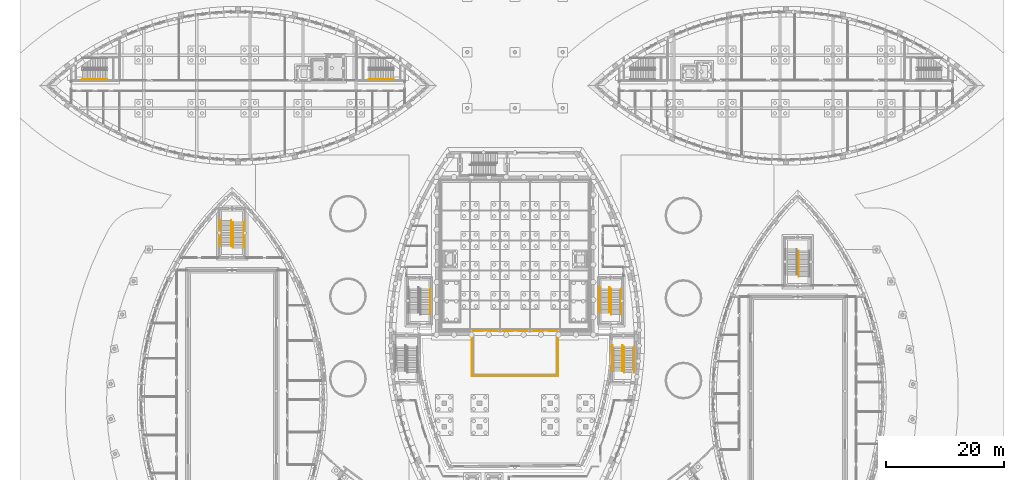
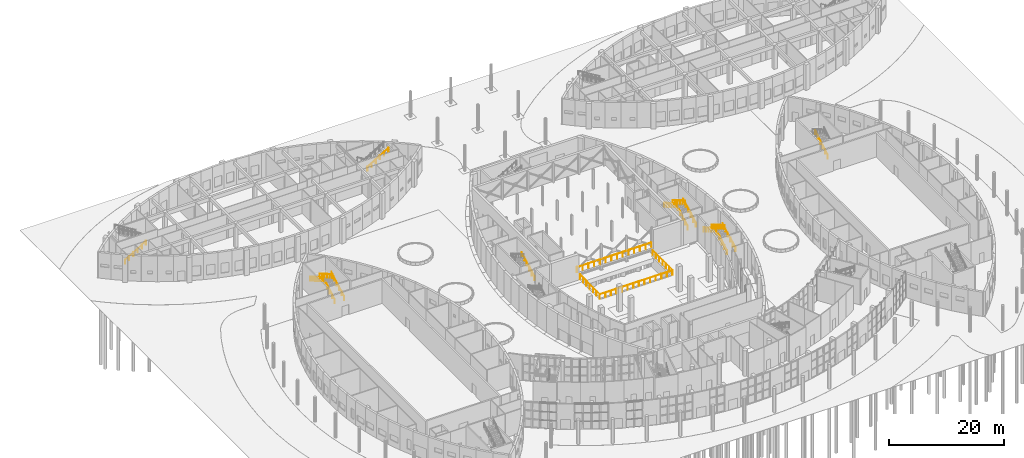
# One storey, part 75 of 82: 18 railings.
"""IFC4 building model written with IfcOpenShell, lengths in metres."""

from ifc_helpers import new_model, si_unit, direction, frame, origin, origin_2d, place, context, subcontext, project, spatial, circle, extrude, material, type_object, element, save


model = new_model("IFC4")

# Units and contexts
model_context = context("Model", 3, precision=1e-05, world=origin(), true_north=direction((0.0, 1.0)))
body_context = subcontext(model_context, "Body", "Model", "MODEL_VIEW")
ifc_project = project(units=[si_unit("LENGTHUNIT", "METRE"), si_unit("AREAUNIT", "SQUARE_METRE"), si_unit("VOLUMEUNIT", "CUBIC_METRE"), si_unit("PLANEANGLEUNIT", "RADIAN"), si_unit("MASSUNIT", "GRAM", prefix="KILO")], contexts=[model_context])

# Site, building, storey
site_placement = place(None, origin())
site = spatial("IfcSite", under=ifc_project, at=site_placement, CompositionType="ELEMENT")
building_placement = place(site_placement, origin())
building = spatial("IfcBuilding", under=site, at=building_placement, Name="Tide Square Theatres", CompositionType="ELEMENT")
storey_placement = place(building_placement, origin())
storey = spatial("IfcBuildingStorey", under=building, at=storey_placement, Name="L00", CompositionType="ELEMENT", Elevation=0.0)

# Railings
ifc_material_1 = material(Name="Painted steel", Category="steel")
railing_type_1 = type_object("IfcRailingType", Name="Steel guard 1100", PredefinedType="GUARDRAIL", material=ifc_material_1)
railing_1_placement = place(storey_placement, frame((76.699951171875, 55.39990234375, 0.0)))
element("IfcRailing", 1, at=railing_1_placement, inside=storey, type_object=railing_type_1, Name="Orchestra pit guard", PredefinedType="GUARDRAIL", context=body_context, shape_type="SweptSolid", body=[
    extrude(circle(Radius=0.02490234375, at=origin_2d()), frame((0.0, 0.0, 1.0751953125), z_axis=(0.0, -1.0, 0.0), x_axis=(1.0, 0.0, 0.0)), (0.0, 0.0, 1.0), 6.89990234375),
    extrude(circle(Radius=0.02490234375, at=origin_2d()), frame((0.0, -6.89990234375, 1.0751953125), z_axis=(1.0, 0.0, 0.0), x_axis=(0.0, 1.0, 0.0)), (0.0, 0.0, 1.0), 14.60009765625),
    extrude(circle(Radius=0.02490234375, at=origin_2d()), frame((14.60009765625, -6.89990234375, 1.0751953125), z_axis=(0.0, 1.0, 0.0), x_axis=(-1.0, 0.0, 0.0)), (0.0, 0.0, 1.0), 6.89990234375),
    extrude(circle(Radius=0.02001953125, at=origin_2d()), origin(), (0.0, 0.0, 1.0), 1.050048828125),
    extrude(circle(Radius=0.02001953125, at=origin_2d()), frame((0.0, -1.14990234375, 0.0)), (0.0, 0.0, 1.0), 1.050048828125),
    extrude(circle(Radius=0.02001953125, at=origin_2d()), frame((0.0, -2.300048828125, 0.0)), (0.0, 0.0, 1.0), 1.050048828125),
    extrude(circle(Radius=0.02001953125, at=origin_2d()), frame((0.0, -3.449951171875, 0.0)), (0.0, 0.0, 1.0), 1.050048828125),
    extrude(circle(Radius=0.02001953125, at=origin_2d()), frame((0.0, -4.599853515625, 0.0)), (0.0, 0.0, 1.0), 1.050048828125),
    extrude(circle(Radius=0.02001953125, at=origin_2d()), frame((0.0, -5.75, 0.0)), (0.0, 0.0, 1.0), 1.050048828125),
    extrude(circle(Radius=0.02001953125, at=origin_2d()), frame((0.0, -6.89990234375, 0.0)), (0.0, 0.0, 1.0), 1.050048828125),
    extrude(circle(Radius=0.02001953125, at=origin_2d()), frame((1.123046875, -6.89990234375, 0.0)), (0.0, 0.0, 1.0), 1.050048828125),
    extrude(circle(Radius=0.02001953125, at=origin_2d()), frame((2.24609375, -6.89990234375, 0.0)), (0.0, 0.0, 1.0), 1.050048828125),
    extrude(circle(Radius=0.02001953125, at=origin_2d()), frame((3.369140625, -6.89990234375, 0.0)), (0.0, 0.0, 1.0), 1.050048828125),
    extrude(circle(Radius=0.02001953125, at=origin_2d()), frame((4.492431640625, -6.89990234375, 0.0)), (0.0, 0.0, 1.0), 1.050048828125),
    extrude(circle(Radius=0.02001953125, at=origin_2d()), frame((5.615478515625, -6.89990234375, 0.0)), (0.0, 0.0, 1.0), 1.050048828125),
    extrude(circle(Radius=0.02001953125, at=origin_2d()), frame((6.738525390625, -6.89990234375, 0.0)), (0.0, 0.0, 1.0), 1.050048828125),
    extrude(circle(Radius=0.02001953125, at=origin_2d()), frame((7.861572265625, -6.89990234375, 0.0)), (0.0, 0.0, 1.0), 1.050048828125),
    extrude(circle(Radius=0.02001953125, at=origin_2d()), frame((8.984619140625, -6.89990234375, 0.0)), (0.0, 0.0, 1.0), 1.050048828125),
    extrude(circle(Radius=0.02001953125, at=origin_2d()), frame((10.107666015625, -6.89990234375, 0.0)), (0.0, 0.0, 1.0), 1.050048828125),
    extrude(circle(Radius=0.02001953125, at=origin_2d()), frame((11.23095703125, -6.89990234375, 0.0)), (0.0, 0.0, 1.0), 1.050048828125),
    extrude(circle(Radius=0.02001953125, at=origin_2d()), frame((12.35400390625, -6.89990234375, 0.0)), (0.0, 0.0, 1.0), 1.050048828125),
    extrude(circle(Radius=0.02001953125, at=origin_2d()), frame((13.47705078125, -6.89990234375, 0.0)), (0.0, 0.0, 1.0), 1.050048828125),
    extrude(circle(Radius=0.02001953125, at=origin_2d()), frame((14.60009765625, -6.89990234375, 0.0)), (0.0, 0.0, 1.0), 1.050048828125),
    extrude(circle(Radius=0.02001953125, at=origin_2d()), frame((14.60009765625, -5.75, 0.0)), (0.0, 0.0, 1.0), 1.050048828125),
    extrude(circle(Radius=0.02001953125, at=origin_2d()), frame((14.60009765625, -4.599853515625, 0.0)), (0.0, 0.0, 1.0), 1.050048828125),
    extrude(circle(Radius=0.02001953125, at=origin_2d()), frame((14.60009765625, -3.449951171875, 0.0)), (0.0, 0.0, 1.0), 1.050048828125),
    extrude(circle(Radius=0.02001953125, at=origin_2d()), frame((14.60009765625, -2.300048828125, 0.0)), (0.0, 0.0, 1.0), 1.050048828125),
    extrude(circle(Radius=0.02001953125, at=origin_2d()), frame((14.60009765625, -1.14990234375, 0.0)), (0.0, 0.0, 1.0), 1.050048828125),
    extrude(circle(Radius=0.02001953125, at=origin_2d()), frame((14.60009765625, 0.0, 0.0)), (0.0, 0.0, 1.0), 1.050048828125),
])
railing_2_placement = place(storey_placement, frame((76.550048828125, 56.1201171875, 1.199951171875)))
element("IfcRailing", 2, at=railing_2_placement, inside=storey, type_object=railing_type_1, Name="Stage edge guard", PredefinedType="GUARDRAIL", context=body_context, shape_type="SweptSolid", body=[
    extrude(circle(Radius=0.02490234375, at=origin_2d()), frame((0.0, 0.0, 1.0751953125), z_axis=(1.0, 0.0, 0.0), x_axis=(0.0, 1.0, 0.0)), (0.0, 0.0, 1.0), 14.89990234375),
    extrude(circle(Radius=0.02001953125, at=origin_2d()), origin(), (0.0, 0.0, 1.0), 1.050048828125),
    extrude(circle(Radius=0.02001953125, at=origin_2d()), frame((1.146240234375, 0.0, 0.0)), (0.0, 0.0, 1.0), 1.050048828125),
    extrude(circle(Radius=0.02001953125, at=origin_2d()), frame((2.292236328125, 0.0, 0.0)), (0.0, 0.0, 1.0), 1.050048828125),
    extrude(circle(Radius=0.02001953125, at=origin_2d()), frame((3.4384765625, 0.0, 0.0)), (0.0, 0.0, 1.0), 1.050048828125),
    extrude(circle(Radius=0.02001953125, at=origin_2d()), frame((4.58447265625, 0.0, 0.0)), (0.0, 0.0, 1.0), 1.050048828125),
    extrude(circle(Radius=0.02001953125, at=origin_2d()), frame((5.730712890625, 0.0, 0.0)), (0.0, 0.0, 1.0), 1.050048828125),
    extrude(circle(Radius=0.02001953125, at=origin_2d()), frame((6.876953125, 0.0, 0.0)), (0.0, 0.0, 1.0), 1.050048828125),
    extrude(circle(Radius=0.02001953125, at=origin_2d()), frame((8.02294921875, 0.0, 0.0)), (0.0, 0.0, 1.0), 1.050048828125),
    extrude(circle(Radius=0.02001953125, at=origin_2d()), frame((9.169189453125, 0.0, 0.0)), (0.0, 0.0, 1.0), 1.050048828125),
    extrude(circle(Radius=0.02001953125, at=origin_2d()), frame((10.3154296875, 0.0, 0.0)), (0.0, 0.0, 1.0), 1.050048828125),
    extrude(circle(Radius=0.02001953125, at=origin_2d()), frame((11.46142578125, 0.0, 0.0)), (0.0, 0.0, 1.0), 1.050048828125),
    extrude(circle(Radius=0.02001953125, at=origin_2d()), frame((12.607666015625, 0.0, 0.0)), (0.0, 0.0, 1.0), 1.050048828125),
    extrude(circle(Radius=0.02001953125, at=origin_2d()), frame((13.753662109375, 0.0, 0.0)), (0.0, 0.0, 1.0), 1.050048828125),
    extrude(circle(Radius=0.02001953125, at=origin_2d()), frame((14.89990234375, 0.0, 0.0)), (0.0, 0.0, 1.0), 1.050048828125),
])
ifc_material_2 = material(Name="Painted steel", Category="steel")
railing_type_2 = type_object("IfcRailingType", Name="Steel handrail 850", PredefinedType="HANDRAIL", material=ifc_material_2)
for number, where, name in (
    (3, (69.639892578125, 58.949951171875, 0.168701171875), "Stair handrail 1"),
    (4, (102.0400390625, 58.949951171875, 0.168701171875), "Stair handrail 2"),
    (5, (100.360107421875, 58.949951171875, 0.168701171875), "Stair handrail 2"),
):
    element("IfcRailing", number, at=place(storey_placement, frame(where)), inside=storey, type_object=railing_type_2, Name=name, PredefinedType="HANDRAIL", context=body_context, shape_type="SweptSolid", body=[
        extrude(circle(Radius=0.02490234375, at=origin_2d()), frame((0.0, 0.0, 0.8251953125), z_axis=(0.0, 0.864323800911, 0.50293574856), x_axis=(-1.0, 0.0, 0.0)), (0.0, 0.0, 1.0), 5.032958984375),
        extrude(circle(Radius=0.02001953125, at=origin_2d()), origin(), (0.0, 0.0, 1.0), 0.800048828125),
        extrude(circle(Radius=0.02001953125, at=origin_2d()), frame((0.0, 0.8701171875, 0.50634765625)), (0.0, 0.0, 1.0), 0.800048828125),
        extrude(circle(Radius=0.02001953125, at=origin_2d()), frame((0.0, 1.739990234375, 1.012451171875)), (0.0, 0.0, 1.0), 0.800048828125),
        extrude(circle(Radius=0.02001953125, at=origin_2d()), frame((0.0, 2.610107421875, 1.518798828125)), (0.0, 0.0, 1.0), 0.800048828125),
        extrude(circle(Radius=0.02001953125, at=origin_2d()), frame((0.0, 3.47998046875, 2.02490234375)), (0.0, 0.0, 1.0), 0.800048828125),
        extrude(circle(Radius=0.02001953125, at=origin_2d()), frame((0.0, 4.35009765625, 2.53125)), (0.0, 0.0, 1.0), 0.800048828125),
    ])
for number, where, name in (
    (6, (100.0400390625, 63.59814453125, 2.86865234375), "Stair handrail 2"),
    (7, (98.360107421875, 63.59814453125, 2.86865234375), "Stair handrail 2"),
):
    element("IfcRailing", number, at=place(storey_placement, frame(where)), inside=storey, type_object=railing_type_2, Name=name, PredefinedType="HANDRAIL", context=body_context, shape_type="SweptSolid", body=[
        extrude(circle(Radius=0.02490234375, at=origin_2d()), frame((0.0, 0.0, 0.8251953125), z_axis=(0.0, -0.864311530196, 0.502956835891), x_axis=(1.0, 0.0, 0.0)), (0.0, 0.0, 1.0), 5.03271484375),
        extrude(circle(Radius=0.02001953125, at=origin_2d()), origin(), (0.0, 0.0, 1.0), 0.800048828125),
        extrude(circle(Radius=0.02001953125, at=origin_2d()), frame((0.0, -0.869873046875, 0.50634765625)), (0.0, 0.0, 1.0), 0.800048828125),
        extrude(circle(Radius=0.02001953125, at=origin_2d()), frame((0.0, -1.739990234375, 1.012451171875)), (0.0, 0.0, 1.0), 0.800048828125),
        extrude(circle(Radius=0.02001953125, at=origin_2d()), frame((0.0, -2.60986328125, 1.518798828125)), (0.0, 0.0, 1.0), 0.800048828125),
        extrude(circle(Radius=0.02001953125, at=origin_2d()), frame((0.0, -3.47998046875, 2.02490234375)), (0.0, 0.0, 1.0), 0.800048828125),
        extrude(circle(Radius=0.02001953125, at=origin_2d()), frame((0.0, -4.349853515625, 2.53125)), (0.0, 0.0, 1.0), 0.800048828125),
    ])
for number, where, name in (
    (8, (104.239990234375, 49.10009765625, 0.168701171875), "Stair handrail 4"),
    (9, (102.56005859375, 49.10009765625, 0.168701171875), "Stair handrail 4"),
):
    element("IfcRailing", number, at=place(storey_placement, frame(where)), inside=storey, type_object=railing_type_2, Name=name, PredefinedType="HANDRAIL", context=body_context, shape_type="SweptSolid", body=[
        extrude(circle(Radius=0.02490234375, at=origin_2d()), frame((0.0, 0.0, 0.8251953125), z_axis=(0.0, 0.864311530196, 0.502956835891), x_axis=(-1.0, 0.0, 0.0)), (0.0, 0.0, 1.0), 5.03271484375),
        extrude(circle(Radius=0.02001953125, at=origin_2d()), origin(), (0.0, 0.0, 1.0), 0.800048828125),
        extrude(circle(Radius=0.02001953125, at=origin_2d()), frame((0.0, 0.869873046875, 0.50634765625)), (0.0, 0.0, 1.0), 0.800048828125),
        extrude(circle(Radius=0.02001953125, at=origin_2d()), frame((0.0, 1.739990234375, 1.012451171875)), (0.0, 0.0, 1.0), 0.800048828125),
        extrude(circle(Radius=0.02001953125, at=origin_2d()), frame((0.0, 2.60986328125, 1.518798828125)), (0.0, 0.0, 1.0), 0.800048828125),
        extrude(circle(Radius=0.02001953125, at=origin_2d()), frame((0.0, 3.47998046875, 2.02490234375)), (0.0, 0.0, 1.0), 0.800048828125),
        extrude(circle(Radius=0.02001953125, at=origin_2d()), frame((0.0, 4.349853515625, 2.53125)), (0.0, 0.0, 1.0), 0.800048828125),
    ])
for number, where, name in (
    (10, (102.239990234375, 53.748291015625, 2.86865234375), "Stair handrail 4"),
    (11, (100.56005859375, 53.748291015625, 2.86865234375), "Stair handrail 4"),
):
    element("IfcRailing", number, at=place(storey_placement, frame(where)), inside=storey, type_object=railing_type_2, Name=name, PredefinedType="HANDRAIL", context=body_context, shape_type="SweptSolid", body=[
        extrude(circle(Radius=0.02490234375, at=origin_2d()), frame((0.0, 0.0, 0.8251953125), z_axis=(0.0, -0.864323800911, 0.50293574856), x_axis=(1.0, 0.0, 0.0)), (0.0, 0.0, 1.0), 5.032958984375),
        extrude(circle(Radius=0.02001953125, at=origin_2d()), origin(), (0.0, 0.0, 1.0), 0.800048828125),
        extrude(circle(Radius=0.02001953125, at=origin_2d()), frame((0.0, -0.8701171875, 0.50634765625)), (0.0, 0.0, 1.0), 0.800048828125),
        extrude(circle(Radius=0.02001953125, at=origin_2d()), frame((0.0, -1.739990234375, 1.012451171875)), (0.0, 0.0, 1.0), 0.800048828125),
        extrude(circle(Radius=0.02001953125, at=origin_2d()), frame((0.0, -2.610107421875, 1.518798828125)), (0.0, 0.0, 1.0), 0.800048828125),
        extrude(circle(Radius=0.02001953125, at=origin_2d()), frame((0.0, -3.47998046875, 2.02490234375)), (0.0, 0.0, 1.0), 0.800048828125),
        extrude(circle(Radius=0.02001953125, at=origin_2d()), frame((0.0, -4.35009765625, 2.53125)), (0.0, 0.0, 1.0), 0.800048828125),
    ])
for number, where, name in (
    (12, (38.0400390625, 70.300048828125, 0.168701171875), "Stair handrail 1"),
    (13, (36.159912109375, 70.300048828125, 0.168701171875), "Stair handrail 1"),
):
    element("IfcRailing", number, at=place(storey_placement, frame(where)), inside=storey, type_object=railing_type_2, Name=name, PredefinedType="HANDRAIL", context=body_context, shape_type="SweptSolid", body=[
        extrude(circle(Radius=0.02490234375, at=origin_2d()), frame((0.0, 0.0, 0.8251953125), z_axis=(0.0, 0.864311530196, 0.502956835891), x_axis=(-1.0, 0.0, 0.0)), (0.0, 0.0, 1.0), 5.03271484375),
        extrude(circle(Radius=0.02001953125, at=origin_2d()), origin(), (0.0, 0.0, 1.0), 0.800048828125),
        extrude(circle(Radius=0.02001953125, at=origin_2d()), frame((0.0, 0.869873046875, 0.50634765625)), (0.0, 0.0, 1.0), 0.800048828125),
        extrude(circle(Radius=0.02001953125, at=origin_2d()), frame((0.0, 1.739990234375, 1.012451171875)), (0.0, 0.0, 1.0), 0.800048828125),
        extrude(circle(Radius=0.02001953125, at=origin_2d()), frame((0.0, 2.60986328125, 1.518798828125)), (0.0, 0.0, 1.0), 0.800048828125),
        extrude(circle(Radius=0.02001953125, at=origin_2d()), frame((0.0, 3.47998046875, 2.02490234375)), (0.0, 0.0, 1.0), 0.800048828125),
        extrude(circle(Radius=0.02001953125, at=origin_2d()), frame((0.0, 4.349853515625, 2.53125)), (0.0, 0.0, 1.0), 0.800048828125),
    ])
for number, where, name in (
    (14, (35.840087890625, 74.9482421875, 2.86865234375), "Stair handrail 1"),
    (15, (33.9599609375, 74.9482421875, 2.86865234375), "Stair handrail 1"),
):
    element("IfcRailing", number, at=place(storey_placement, frame(where)), inside=storey, type_object=railing_type_2, Name=name, PredefinedType="HANDRAIL", context=body_context, shape_type="SweptSolid", body=[
        extrude(circle(Radius=0.02490234375, at=origin_2d()), frame((0.0, 0.0, 0.8251953125), z_axis=(0.0, -0.864323800911, 0.50293574856), x_axis=(1.0, 0.0, 0.0)), (0.0, 0.0, 1.0), 5.032958984375),
        extrude(circle(Radius=0.02001953125, at=origin_2d()), origin(), (0.0, 0.0, 1.0), 0.800048828125),
        extrude(circle(Radius=0.02001953125, at=origin_2d()), frame((0.0, -0.8701171875, 0.50634765625)), (0.0, 0.0, 1.0), 0.800048828125),
        extrude(circle(Radius=0.02001953125, at=origin_2d()), frame((0.0, -1.739990234375, 1.012451171875)), (0.0, 0.0, 1.0), 0.800048828125),
        extrude(circle(Radius=0.02001953125, at=origin_2d()), frame((0.0, -2.610107421875, 1.518798828125)), (0.0, 0.0, 1.0), 0.800048828125),
        extrude(circle(Radius=0.02001953125, at=origin_2d()), frame((0.0, -3.47998046875, 2.02490234375)), (0.0, 0.0, 1.0), 0.800048828125),
        extrude(circle(Radius=0.02001953125, at=origin_2d()), frame((0.0, -4.35009765625, 2.53125)), (0.0, 0.0, 1.0), 0.800048828125),
    ])
railing_3_placement = place(storey_placement, frame((132.159912109375, 65.39990234375, 0.168701171875)))
element("IfcRailing", 16, at=railing_3_placement, inside=storey, type_object=railing_type_2, Name="Stair handrail 1", PredefinedType="HANDRAIL", context=body_context, shape_type="SweptSolid", body=[
    extrude(circle(Radius=0.02490234375, at=origin_2d()), frame((0.0, 0.0, 0.8251953125), z_axis=(0.0, 0.864323800911, 0.50293574856), x_axis=(-1.0, 0.0, 0.0)), (0.0, 0.0, 1.0), 5.032958984375),
    extrude(circle(Radius=0.02001953125, at=origin_2d()), origin(), (0.0, 0.0, 1.0), 0.800048828125),
    extrude(circle(Radius=0.02001953125, at=origin_2d()), frame((0.0, 0.8701171875, 0.50634765625)), (0.0, 0.0, 1.0), 0.800048828125),
    extrude(circle(Radius=0.02001953125, at=origin_2d()), frame((0.0, 1.739990234375, 1.012451171875)), (0.0, 0.0, 1.0), 0.800048828125),
    extrude(circle(Radius=0.02001953125, at=origin_2d()), frame((0.0, 2.610107421875, 1.518798828125)), (0.0, 0.0, 1.0), 0.800048828125),
    extrude(circle(Radius=0.02001953125, at=origin_2d()), frame((0.0, 3.47998046875, 2.02490234375)), (0.0, 0.0, 1.0), 0.800048828125),
    extrude(circle(Radius=0.02001953125, at=origin_2d()), frame((0.0, 4.35009765625, 2.53125)), (0.0, 0.0, 1.0), 0.800048828125),
])
for number, where, name in (
    (17, (10.60009765625, 98.85009765625, 0.168701171875), "L00 WST-1 stair handrail 1"),
    (18, (59.199951171875, 98.85009765625, 2.86865234375), "L00 WST-2 stair handrail 3"),
):
    element("IfcRailing", number, at=place(storey_placement, frame(where)), inside=storey, type_object=railing_type_2, Name=name, PredefinedType="HANDRAIL", context=body_context, shape_type="SweptSolid", body=[
        extrude(circle(Radius=0.02392578125, at=origin_2d()), frame((0.0, 0.0, 0.826171875), z_axis=(0.856476492594, 0.0, 0.516186030065), x_axis=(0.0, 1.0, 0.0)), (0.0, 0.0, 1.0), 4.90380859375),
        extrude(circle(Radius=0.02099609375, at=origin_2d()), origin(), (0.0, 0.0, 1.0), 0.802001953125),
        extrude(circle(Radius=0.02099609375, at=origin_2d()), frame((0.840087890625, 0.0, 0.50634765625)), (0.0, 0.0, 1.0), 0.802001953125),
        extrude(circle(Radius=0.02099609375, at=origin_2d()), frame((1.679931640625, 0.0, 1.012451171875)), (0.0, 0.0, 1.0), 0.802001953125),
        extrude(circle(Radius=0.02099609375, at=origin_2d()), frame((2.52001953125, 0.0, 1.518798828125)), (0.0, 0.0, 1.0), 0.802001953125),
        extrude(circle(Radius=0.02099609375, at=origin_2d()), frame((3.35986328125, 0.0, 2.02490234375)), (0.0, 0.0, 1.0), 0.802001953125),
        extrude(circle(Radius=0.02099609375, at=origin_2d()), frame((4.199951171875, 0.0, 2.53125)), (0.0, 0.0, 1.0), 0.802001953125),
    ])

save(model, "model.ifc")
